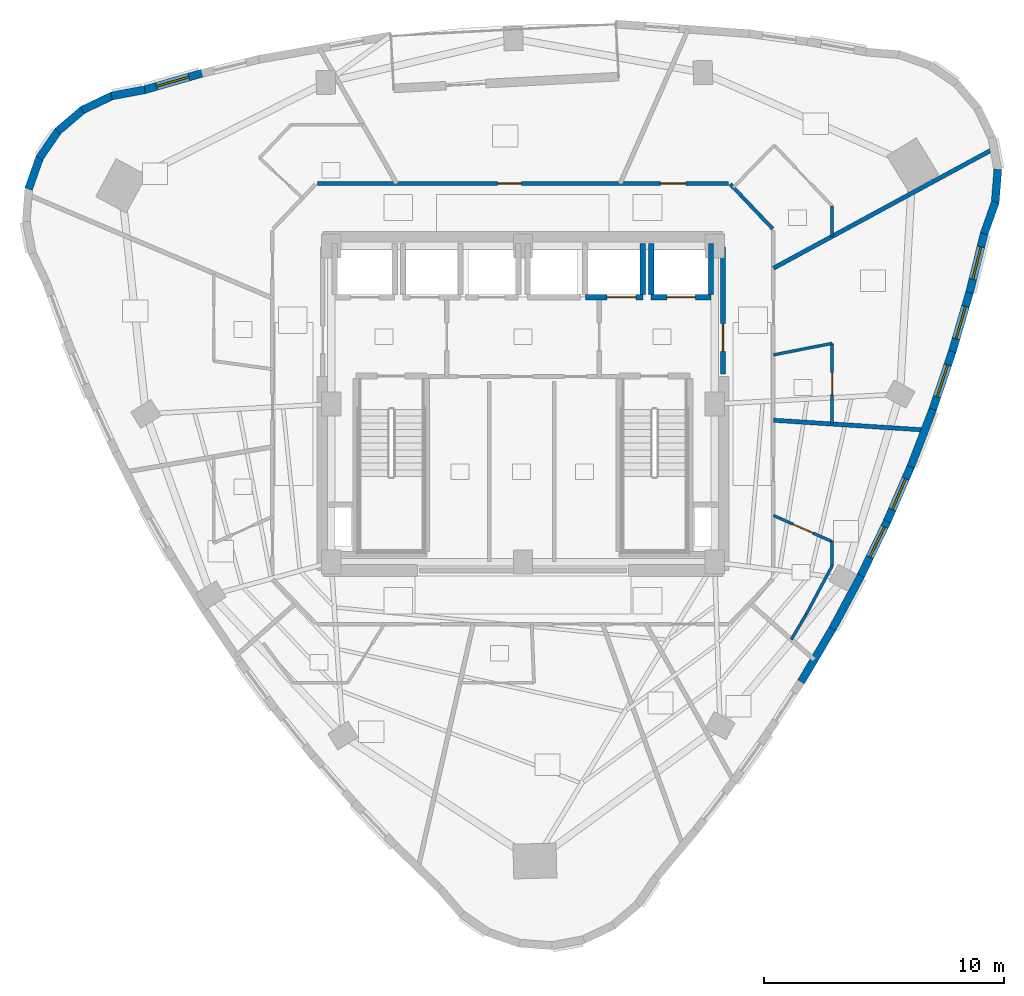
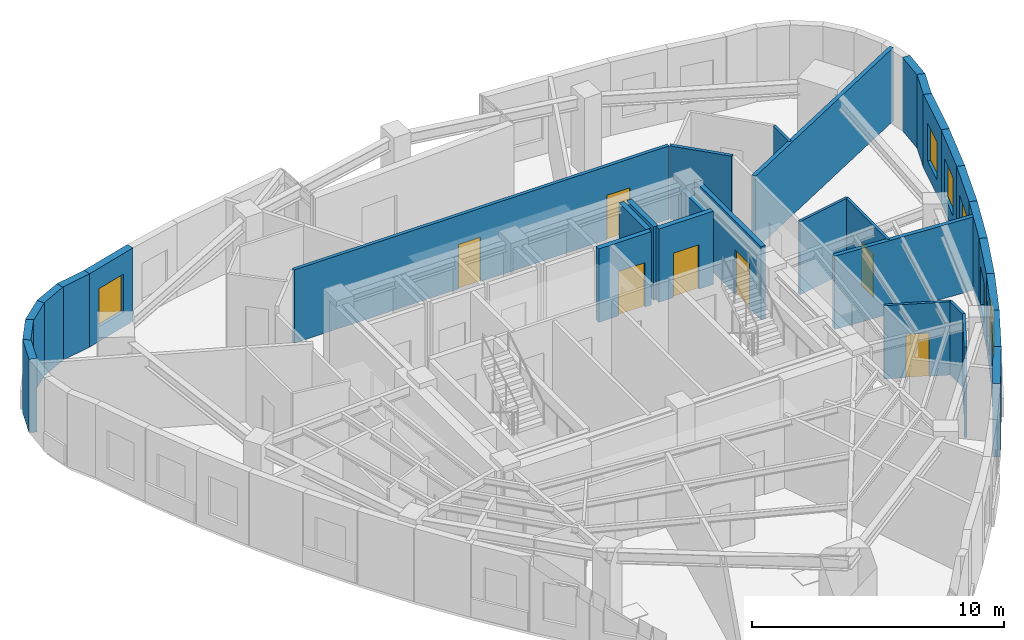
# One storey, part 7 of 11: 33 walls, 7 doors, 6 windows, 13 openings.
"""IFC4 building model written with IfcOpenShell, lengths in metres."""

from ifc_helpers import new_model, si_unit, direction, frame, frame_2d, origin, place, context, subcontext, project, spatial, rectangle, extrude, material, layer, layer_set, type_object, element, fill, save


model = new_model("IFC4")

# Units and contexts
model_context = context("Model", 3, precision=1e-05, world=origin(), true_north=direction((0.0, 1.0)))
body_context = subcontext(model_context, "Body", "Model", "MODEL_VIEW")
ifc_project = project(units=[si_unit("LENGTHUNIT", "METRE"), si_unit("AREAUNIT", "SQUARE_METRE"), si_unit("VOLUMEUNIT", "CUBIC_METRE"), si_unit("PLANEANGLEUNIT", "RADIAN"), si_unit("MASSUNIT", "GRAM", prefix="KILO")], contexts=[model_context])

# Site, building, storey
site_placement = place(None, origin())
site = spatial("IfcSite", under=ifc_project, at=site_placement, CompositionType="ELEMENT")
building_placement = place(site_placement, origin())
building = spatial("IfcBuilding", under=site, at=building_placement, Name="Ndelora Gate Hotel", CompositionType="ELEMENT")
storey_placement = place(building_placement, frame((0.0, 0.0, 216.949951171875)))
storey = spatial("IfcBuildingStorey", under=building, at=storey_placement, Name="L54", CompositionType="ELEMENT", Elevation=216.949951171875)

# Walls
ifc_material_1 = material(Name="Acoustic Double-Stud Gypsum Assembly", Category="gypsum")
ifc_layer_1 = layer(ifc_material_1, 0.179931640625)
ifc_layer_set_1 = layer_set([ifc_layer_1], Name="Acoustic Double-Stud Gypsum Assembly")
wall_type_1 = type_object("IfcWallType", Name="WL-ACOUST-180", PredefinedType="PARTITIONING", material=ifc_layer_set_1)
wall_1_placement = place(storey_placement, frame((10.449951171875, -0.675537109375, 0.0), z_axis=(0.0, 0.0, 1.0), x_axis=(0.997917550795, -0.064502417126, 0.0)))
element("IfcWall", 1, at=wall_1_placement, inside=storey, type_object=wall_type_1, Name="L54 Interior Wall IW-3", PredefinedType="PARTITIONING", context=body_context, shape_type="SweptSolid", body=[
    extrude(rectangle(XDim=6.332275390625, YDim=0.179931640625, at=frame_2d((3.166015625, 0.0))), origin(), (0.0, 0.0, 1.0), 3.550048828125),
])
wall_2_placement = place(storey_placement, frame((10.449951171875, 5.665283203125, 0.0), z_axis=(0.0, 0.0, 1.0), x_axis=(0.879128995533, 0.476583895252, 0.0)))
element("IfcWall", 2, at=wall_2_placement, inside=storey, type_object=wall_type_1, Name="L54 Interior Wall IW-3", PredefinedType="PARTITIONING", context=body_context, shape_type="SweptSolid", body=[
    extrude(rectangle(XDim=10.45947265625, YDim=0.179931640625, at=frame_2d((5.229736328125, 0.0))), origin(), (0.0, 0.0, 1.0), 3.550048828125),
])
ifc_material_2 = material(Name="Clay Brick Masonry", Category="masonry")
ifc_layer_2 = layer(ifc_material_2, 0.330078125)
ifc_layer_set_2 = layer_set([ifc_layer_2], Name="Clay Brick Masonry")
wall_type_2 = type_object("IfcWallType", Name="WL-BRICK-330", PredefinedType="SOLIDWALL", material=ifc_layer_set_2)
wall_3_placement = place(storey_placement, frame((-17.16015625, 12.853271484375, 0.0), z_axis=(0.0, 0.0, 1.0), x_axis=(0.983270499209, 0.182151380411, 0.0)))
element("IfcWall", 3, at=wall_3_placement, inside=storey, type_object=wall_type_2, Name="L54 Tower Brick Pier-and-Spandrel Wall TWR-1", PredefinedType="SOLIDWALL", context=body_context, shape_type="SweptSolid", body=[
    extrude(rectangle(XDim=1.4072265625, YDim=0.330078125, at=frame_2d((0.70361328125, 0.0))), origin(), (0.0, 0.0, 1.0), 3.550048828125),
])
for number, where, z_axis, x_axis, name in (
    (4, (-18.38330078125, 12.2626953125, 0.0), (0.0, 0.0, 1.0), (0.902565310806, 0.430552969714, 0.0), "L54 Tower Brick Pier-and-Spandrel Wall TWR-2"),
    (5, (-19.412109375, 11.37548828125, 0.0), (0.0, 0.0, 1.0), (0.760430782952, 0.64941898982, 0.0), "L54 Tower Brick Pier-and-Spandrel Wall TWR-3"),
    (6, (-20.176025390625, 10.25244140625, 0.0), (0.0, 0.0, 1.0), (0.566374209812, 0.824148199331, 0.0), "L54 Tower Brick Pier-and-Spandrel Wall TWR-4"),
):
    element("IfcWall", number, at=place(storey_placement, frame(where, z_axis=z_axis, x_axis=x_axis)), inside=storey, type_object=wall_type_2, Name=name, PredefinedType="SOLIDWALL", context=body_context, shape_type="SweptSolid", body=[
        extrude(rectangle(XDim=1.407470703125, YDim=0.330078125, at=frame_2d((0.70361328125, 0.0))), origin(), (0.0, 0.0, 1.0), 3.550048828125),
    ])
wall_4_placement = place(storey_placement, frame((-20.623291015625, 8.9697265625, 0.0), z_axis=(0.0, 0.0, 1.0), x_axis=(0.333709077945, 0.942676111555, 0.0)))
element("IfcWall", 7, at=wall_4_placement, inside=storey, type_object=wall_type_2, Name="L54 Tower Brick Pier-and-Spandrel Wall TWR-5", PredefinedType="SOLIDWALL", context=body_context, shape_type="SweptSolid", body=[
    extrude(rectangle(XDim=1.40771484375, YDim=0.330078125, at=frame_2d((0.703857421875, 0.0))), origin(), (0.0, 0.0, 1.0), 3.550048828125),
])
wall_5_placement = place(storey_placement, frame((12.9140625, -9.37548828125, 0.0), z_axis=(0.0, 0.0, 1.0), x_axis=(-0.509023691709, -0.860752508727, 0.0)))
element("IfcWall", 8, at=wall_5_placement, inside=storey, type_object=wall_type_2, Name="L54 Tower Brick Pier-and-Spandrel Wall TWR-33", PredefinedType="SOLIDWALL", context=body_context, shape_type="SweptSolid", body=[
    extrude(rectangle(XDim=2.5703125, YDim=0.330078125, at=frame_2d((1.28515625, 0.0))), origin(), (0.0, 0.0, 1.0), 3.550048828125),
])
wall_6_placement = place(storey_placement, frame((14.102294921875, -7.157470703125, 0.0), z_axis=(0.0, 0.0, 1.0), x_axis=(-0.472567241961, -0.881294616928, 0.0)))
element("IfcWall", 9, at=wall_6_placement, inside=storey, type_object=wall_type_2, Name="L54 Tower Brick Pier-and-Spandrel Wall TWR-34", PredefinedType="SOLIDWALL", context=body_context, shape_type="SweptSolid", body=[
    extrude(rectangle(XDim=2.566162109375, YDim=0.330078125, at=frame_2d((1.283203125, 0.0))), origin(), (0.0, 0.0, 1.0), 3.550048828125),
])

# Wall, opening, window
wall_7_placement = place(storey_placement, frame((15.1962890625, -4.8916015625, 0.0), z_axis=(0.0, 0.0, 1.0), x_axis=(-0.435185371062, -0.900340875898, 0.0)))
wall_7 = element("IfcWall", 10, at=wall_7_placement, inside=storey, type_object=wall_type_2, Name="L54 Tower Brick Pier-and-Spandrel Wall TWR-35", PredefinedType="SOLIDWALL", context=body_context, shape_type="SweptSolid", body=[
    extrude(rectangle(XDim=2.56591796875, YDim=0.330078125, at=frame_2d((1.282958984375, 0.0))), origin(), (0.0, 0.0, 1.0), 3.550048828125),
])
opening_1_placement = place(wall_7_placement, frame((0.260009765625, 0.0, 0.719970703125)))
opening_1 = element("IfcOpeningElement", 11, at=opening_1_placement, cuts=wall_7, Name="Opening W02", PredefinedType="OPENING", context=body_context, shape_type="SweptSolid", body=[
    extrude(rectangle(XDim=1.39990234375, YDim=1.840087890625, at=frame_2d((0.699951171875, 0.919921875))), frame((0.0, 0.175048828125, 0.0), z_axis=(0.0, -1.0, 0.0), x_axis=(1.0, 0.0, 0.0)), (0.0, 0.0, 1.0), 0.35009765625),
])
ifc_material_3 = material(Name="Insulated Low-E Double Glazing in Bronze Aluminium Frame", Category="aluminium")
window_type = type_object("IfcWindowType", Name="WN-DEEP-1400", PartitioningType="SINGLE_PANEL", PredefinedType="WINDOW", material=ifc_material_3)
window_1_placement = place(opening_1_placement, origin())
window_1 = element("IfcWindow", 12, at=window_1_placement, inside=storey, type_object=window_type, Name="L54 Deep-Set Brick-Pier Window W02", OverallHeight=1.840087890625, OverallWidth=1.39990234375, PartitioningType="SINGLE_PANEL", PredefinedType="WINDOW", context=body_context, shape_type="SweptSolid", body=[
    extrude(rectangle(XDim=1.39990234375, YDim=1.840087890625, at=frame_2d((0.699951171875, 0.919921875))), frame((0.0, 0.030029296875, 0.0), z_axis=(0.0, -1.0, 0.0), x_axis=(1.0, 0.0, 0.0)), (0.0, 0.0, 1.0), 0.06005859375),
])
fill(opening_1, window_1)

wall_8_placement = place(storey_placement, frame((16.1962890625, -2.577880859375, 0.0), z_axis=(0.0, 0.0, 1.0), x_axis=(-0.397103611511, -0.917773785704, 0.0)))
wall_8 = element("IfcWall", 13, at=wall_8_placement, inside=storey, type_object=wall_type_2, Name="L54 Tower Brick Pier-and-Spandrel Wall TWR-36", PredefinedType="SOLIDWALL", context=body_context, shape_type="SweptSolid", body=[
    extrude(rectangle(XDim=2.570556640625, YDim=0.330078125, at=frame_2d((1.28515625, 0.0))), origin(), (0.0, 0.0, 1.0), 3.550048828125),
])
opening_2_placement = place(wall_8_placement, frame((0.585205078125, 0.0, 0.719970703125)))
opening_2 = element("IfcOpeningElement", 14, at=opening_2_placement, cuts=wall_8, Name="Opening W02", PredefinedType="OPENING", context=body_context, shape_type="SweptSolid", body=[
    extrude(rectangle(XDim=1.39990234375, YDim=1.840087890625, at=frame_2d((0.699951171875, 0.919921875))), frame((0.0, 0.175048828125, 0.0), z_axis=(0.0, -1.0, 0.0), x_axis=(1.0, 0.0, 0.0)), (0.0, 0.0, 1.0), 0.35009765625),
])
window_2_placement = place(opening_2_placement, origin())
window_2 = element("IfcWindow", 15, at=window_2_placement, inside=storey, type_object=window_type, Name="L54 Deep-Set Brick-Pier Window W02", OverallHeight=1.840087890625, OverallWidth=1.39990234375, PartitioningType="SINGLE_PANEL", PredefinedType="WINDOW", context=body_context, shape_type="SweptSolid", body=[
    extrude(rectangle(XDim=1.39990234375, YDim=1.840087890625, at=frame_2d((0.699951171875, 0.919921875))), frame((0.0, 0.030029296875, 0.0), z_axis=(0.0, -1.0, 0.0), x_axis=(1.0, 0.0, 0.0)), (0.0, 0.0, 1.0), 0.06005859375),
])
fill(opening_2, window_2)

# Wall
wall_9_placement = place(storey_placement, frame((17.102294921875, -0.21630859375, 0.0), z_axis=(0.0, 0.0, 1.0), x_axis=(-0.358528725074, -0.933518694669, 0.0)))
element("IfcWall", 16, at=wall_9_placement, inside=storey, type_object=wall_type_2, Name="L54 Tower Brick Pier-and-Spandrel Wall TWR-37", PredefinedType="SOLIDWALL", context=body_context, shape_type="SweptSolid", body=[
    extrude(rectangle(XDim=2.579345703125, YDim=0.330078125, at=frame_2d((1.28955078125, 0.0))), origin(), (0.0, 0.0, 1.0), 3.550048828125),
])

# Wall, opening, window
wall_10_placement = place(storey_placement, frame((17.914306640625, 2.193115234375, 0.0), z_axis=(0.0, 0.0, 1.0), x_axis=(-0.319700444906, -0.94751866764, 0.0)))
wall_10 = element("IfcWall", 17, at=wall_10_placement, inside=storey, type_object=wall_type_2, Name="L54 Tower Brick Pier-and-Spandrel Wall TWR-38", PredefinedType="SOLIDWALL", context=body_context, shape_type="SweptSolid", body=[
    extrude(rectangle(XDim=2.592529296875, YDim=0.330078125, at=frame_2d((1.29638671875, 0.0))), origin(), (0.0, 0.0, 1.0), 3.550048828125),
])
opening_3_placement = place(wall_10_placement, frame((0.59619140625, 0.0, 0.719970703125)))
opening_3 = element("IfcOpeningElement", 18, at=opening_3_placement, cuts=wall_10, Name="Opening W02", PredefinedType="OPENING", context=body_context, shape_type="SweptSolid", body=[
    extrude(rectangle(XDim=1.39990234375, YDim=1.840087890625, at=frame_2d((0.699951171875, 0.919921875))), frame((0.0, 0.175048828125, 0.0), z_axis=(0.0, -1.0, 0.0), x_axis=(1.0, 0.0, 0.0)), (0.0, 0.0, 1.0), 0.35009765625),
])
window_3_placement = place(opening_3_placement, origin())
window_3 = element("IfcWindow", 19, at=window_3_placement, inside=storey, type_object=window_type, Name="L54 Deep-Set Brick-Pier Window W02", OverallHeight=1.840087890625, OverallWidth=1.39990234375, PartitioningType="SINGLE_PANEL", PredefinedType="WINDOW", context=body_context, shape_type="SweptSolid", body=[
    extrude(rectangle(XDim=1.39990234375, YDim=1.840087890625, at=frame_2d((0.699951171875, 0.919921875))), frame((0.0, 0.030029296875, 0.0), z_axis=(0.0, -1.0, 0.0), x_axis=(1.0, 0.0, 0.0)), (0.0, 0.0, 1.0), 0.06005859375),
])
fill(opening_3, window_3)

wall_11_placement = place(storey_placement, frame((18.632080078125, 4.650390625, 0.0), z_axis=(0.0, 0.0, 1.0), x_axis=(-0.280732723443, -0.959785985514, 0.0)))
wall_11 = element("IfcWall", 20, at=wall_11_placement, inside=storey, type_object=wall_type_2, Name="L54 Tower Brick Pier-and-Spandrel Wall TWR-39", PredefinedType="SOLIDWALL", context=body_context, shape_type="SweptSolid", body=[
    extrude(rectangle(XDim=2.60986328125, YDim=0.330078125, at=frame_2d((1.304931640625, 0.0))), origin(), (0.0, 0.0, 1.0), 3.550048828125),
])
opening_4_placement = place(wall_11_placement, frame((0.60498046875, 0.0, 0.719970703125)))
opening_4 = element("IfcOpeningElement", 21, at=opening_4_placement, cuts=wall_11, Name="Opening W02", PredefinedType="OPENING", context=body_context, shape_type="SweptSolid", body=[
    extrude(rectangle(XDim=1.39990234375, YDim=1.840087890625, at=frame_2d((0.699951171875, 0.919921875))), frame((0.0, 0.175048828125, 0.0), z_axis=(0.0, -1.0, 0.0), x_axis=(1.0, 0.0, 0.0)), (0.0, 0.0, 1.0), 0.35009765625),
])
window_4_placement = place(opening_4_placement, origin())
window_4 = element("IfcWindow", 22, at=window_4_placement, inside=storey, type_object=window_type, Name="L54 Deep-Set Brick-Pier Window W02", OverallHeight=1.840087890625, OverallWidth=1.39990234375, PartitioningType="SINGLE_PANEL", PredefinedType="WINDOW", context=body_context, shape_type="SweptSolid", body=[
    extrude(rectangle(XDim=1.39990234375, YDim=1.840087890625, at=frame_2d((0.699951171875, 0.919921875))), frame((0.0, 0.030029296875, 0.0), z_axis=(0.0, -1.0, 0.0), x_axis=(1.0, 0.0, 0.0)), (0.0, 0.0, 1.0), 0.06005859375),
])
fill(opening_4, window_4)

wall_12_placement = place(storey_placement, frame((19.255859375, 7.15576171875, 0.0), z_axis=(0.0, 0.0, 1.0), x_axis=(-0.24192443615, -0.970295092842, 0.0)))
wall_12 = element("IfcWall", 23, at=wall_12_placement, inside=storey, type_object=wall_type_2, Name="L54 Tower Brick Pier-and-Spandrel Wall TWR-40", PredefinedType="SOLIDWALL", context=body_context, shape_type="SweptSolid", body=[
    extrude(rectangle(XDim=2.6318359375, YDim=0.330078125, at=frame_2d((1.31591796875, 0.0))), origin(), (0.0, 0.0, 1.0), 3.550048828125),
])
opening_5_placement = place(wall_12_placement, frame((0.615966796875, 0.0, 0.719970703125)))
opening_5 = element("IfcOpeningElement", 24, at=opening_5_placement, cuts=wall_12, Name="Opening W02", PredefinedType="OPENING", context=body_context, shape_type="SweptSolid", body=[
    extrude(rectangle(XDim=1.39990234375, YDim=1.840087890625, at=frame_2d((0.699951171875, 0.919921875))), frame((0.0, 0.175048828125, 0.0), z_axis=(0.0, -1.0, 0.0), x_axis=(1.0, 0.0, 0.0)), (0.0, 0.0, 1.0), 0.35009765625),
])
window_5_placement = place(opening_5_placement, origin())
window_5 = element("IfcWindow", 25, at=window_5_placement, inside=storey, type_object=window_type, Name="L54 Deep-Set Brick-Pier Window W02", OverallHeight=1.840087890625, OverallWidth=1.39990234375, PartitioningType="SINGLE_PANEL", PredefinedType="WINDOW", context=body_context, shape_type="SweptSolid", body=[
    extrude(rectangle(XDim=1.39990234375, YDim=1.840087890625, at=frame_2d((0.699951171875, 0.919921875))), frame((0.0, 0.030029296875, 0.0), z_axis=(0.0, -1.0, 0.0), x_axis=(1.0, 0.0, 0.0)), (0.0, 0.0, 1.0), 0.06005859375),
])
fill(opening_5, window_5)

# Walls
wall_13_placement = place(storey_placement, frame((19.711181640625, 8.4345703125, 0.0), z_axis=(0.0, 0.0, 1.0), x_axis=(-0.33376364871, -0.942656791627, 0.0)))
element("IfcWall", 26, at=wall_13_placement, inside=storey, type_object=wall_type_2, Name="L54 Tower Brick Pier-and-Spandrel Wall TWR-41", PredefinedType="SOLIDWALL", context=body_context, shape_type="SweptSolid", body=[
    extrude(rectangle(XDim=1.407470703125, YDim=0.330078125, at=frame_2d((0.70361328125, 0.0))), origin(), (0.0, 0.0, 1.0), 3.550048828125),
])
wall_14_placement = place(storey_placement, frame((19.8115234375, 9.789306640625, 0.0), z_axis=(0.0, 0.0, 1.0), x_axis=(-0.078566409812, -0.99690888212, 0.0)))
element("IfcWall", 27, at=wall_14_placement, inside=storey, type_object=wall_type_2, Name="L54 Tower Brick Pier-and-Spandrel Wall TWR-42", PredefinedType="SOLIDWALL", context=body_context, shape_type="SweptSolid", body=[
    extrude(rectangle(XDim=1.40771484375, YDim=0.330078125, at=frame_2d((0.703857421875, 0.0))), origin(), (0.0, 0.0, 1.0), 3.550048828125),
])

# Wall, opening, window
wall_15_placement = place(storey_placement, frame((-15.824951171875, 13.09814453125, 0.0), z_axis=(0.0, 0.0, 1.0), x_axis=(0.961045266568, 0.276391019406, 0.0)))
wall_15 = element("IfcWall", 28, at=wall_15_placement, inside=storey, type_object=wall_type_2, Name="L54 Tower Brick Pier-and-Spandrel Wall TWR-58", PredefinedType="SOLIDWALL", context=body_context, shape_type="SweptSolid", body=[
    extrude(rectangle(XDim=2.529052734375, YDim=0.330078125, at=frame_2d((1.2646484375, 0.0))), origin(), (0.0, 0.0, 1.0), 3.550048828125),
])
opening_6_placement = place(wall_15_placement, frame((0.564453125, 0.0, 0.719970703125)))
opening_6 = element("IfcOpeningElement", 29, at=opening_6_placement, cuts=wall_15, Name="Opening W02", PredefinedType="OPENING", context=body_context, shape_type="SweptSolid", body=[
    extrude(rectangle(XDim=1.39990234375, YDim=1.840087890625, at=frame_2d((0.699951171875, 0.919921875))), frame((0.0, 0.175048828125, 0.0), z_axis=(0.0, -1.0, 0.0), x_axis=(1.0, 0.0, 0.0)), (0.0, 0.0, 1.0), 0.35009765625),
])
window_6_placement = place(opening_6_placement, origin())
window_6 = element("IfcWindow", 30, at=window_6_placement, inside=storey, type_object=window_type, Name="L54 Deep-Set Brick-Pier Window W02", OverallHeight=1.840087890625, OverallWidth=1.39990234375, PartitioningType="SINGLE_PANEL", PredefinedType="WINDOW", context=body_context, shape_type="SweptSolid", body=[
    extrude(rectangle(XDim=1.39990234375, YDim=1.840087890625, at=frame_2d((0.699951171875, 0.919921875))), frame((0.0, 0.030029296875, 0.0), z_axis=(0.0, -1.0, 0.0), x_axis=(1.0, 0.0, 0.0)), (0.0, 0.0, 1.0), 0.06005859375),
])
fill(opening_6, window_6)

# Wall, opening, door
ifc_material_4 = material(Name="Concrete C40/50", Category="concrete")
ifc_layer_3 = layer(ifc_material_4, 0.199951171875)
ifc_layer_set_3 = layer_set([ifc_layer_3], Name="Concrete C40/50")
wall_type_3 = type_object("IfcWallType", Name="WL-FIRE-200", PredefinedType="PARTITIONING", material=ifc_layer_set_3)
wall_16_placement = place(storey_placement, frame((8.35009765625, 1.25, 0.0), z_axis=(0.0, 0.0, 1.0), x_axis=(0.0, 1.0, 0.0)))
wall_16 = element("IfcWall", 31, at=wall_16_placement, inside=storey, type_object=wall_type_3, Name="L54 Interior Wall IW-2", PredefinedType="PARTITIONING", context=body_context, shape_type="SweptSolid", body=[
    extrude(rectangle(XDim=5.300048828125, YDim=0.199951171875, at=frame_2d((2.64990234375, 0.0))), origin(), (0.0, 0.0, 1.0), 3.550048828125),
])
opening_7_placement = place(wall_16_placement, frame((0.949951171875, 0.0, 0.0)))
opening_7 = element("IfcOpeningElement", 32, at=opening_7_placement, cuts=wall_16, Name="Opening FD1", PredefinedType="OPENING", context=body_context, shape_type="SweptSolid", body=[
    extrude(rectangle(XDim=1.14990234375, YDim=2.14990234375, at=frame_2d((0.574951171875, 1.074951171875))), frame((0.0, 0.10986328125, 0.0), z_axis=(0.0, -1.0, 0.0), x_axis=(1.0, 0.0, 0.0)), (0.0, 0.0, 1.0), 0.219970703125),
])
ifc_material_5 = material(Name="Fire-Rated Timber-Veneer Steel Core", Category="steel")
door_type_1 = type_object("IfcDoorType", Name="DR-FD60", OperationType="SINGLE_SWING_LEFT", PredefinedType="DOOR", material=ifc_material_5)
door_1_placement = place(opening_7_placement, origin())
door_1 = element("IfcDoor", 33, at=door_1_placement, inside=storey, type_object=door_type_1, Name="L54 Firefighting Lobby East Corridor Door", OperationType="SINGLE_SWING_RIGHT", OverallHeight=2.14990234375, OverallWidth=1.14990234375, PredefinedType="DOOR", context=body_context, shape_type="SweptSolid", body=[
    extrude(rectangle(XDim=1.14990234375, YDim=2.14990234375, at=frame_2d((0.574951171875, 1.074951171875))), frame((0.0, 0.02490234375, 0.0), z_axis=(0.0, -1.0, 0.0), x_axis=(1.0, 0.0, 0.0)), (0.0, 0.0, 1.0), 0.050048828125),
])
fill(opening_7, door_1)

# Wall
ifc_material_6 = material(Name="Fire-Rated Gypsum Stud Partition", Category="gypsum")
ifc_layer_4 = layer(ifc_material_6, 0.14990234375)
ifc_layer_set_4 = layer_set([ifc_layer_4], Name="Fire-Rated Gypsum Stud Partition")
wall_type_4 = type_object("IfcWallType", Name="WL-PART-150", PredefinedType="PARTITIONING", material=ifc_layer_set_4)
wall_17_placement = place(storey_placement, frame((8.647705078125, 9.1708984375, 0.0), z_axis=(0.0, 0.0, 1.0), x_axis=(0.689960858356, -0.723846678473, 0.0)))
element("IfcWall", 34, at=wall_17_placement, inside=storey, type_object=wall_type_4, Name="L54 Interior Wall IW-5", PredefinedType="PARTITIONING", context=body_context, shape_type="SweptSolid", body=[
    extrude(rectangle(XDim=2.572021484375, YDim=0.14990234375, at=frame_2d((1.2861328125, 0.0))), origin(), (0.0, 0.0, 1.0), 3.550048828125),
])

# Wall, openings, doors
wall_18_placement = place(storey_placement, frame((-8.580078125, 9.199951171875, 0.0), z_axis=(0.0, 0.0, 1.0), x_axis=(1.0, 0.0, 0.0)))
wall_18 = element("IfcWall", 35, at=wall_18_placement, inside=storey, type_object=wall_type_4, Name="L54 Interior Wall IW-5", PredefinedType="PARTITIONING", context=body_context, shape_type="SweptSolid", body=[
    extrude(rectangle(XDim=17.16015625, YDim=0.14990234375, at=frame_2d((8.580078125, 0.0))), origin(), (0.0, 0.0, 1.0), 3.550048828125),
])
opening_8_placement = place(wall_18_placement, frame((7.519775390625, 0.0, 0.0)))
opening_8 = element("IfcOpeningElement", 36, at=opening_8_placement, cuts=wall_18, Name="Opening D01", PredefinedType="OPENING", context=body_context, shape_type="SweptSolid", body=[
    extrude(rectangle(XDim=1.0, YDim=2.14990234375, at=frame_2d((0.5, 1.074951171875))), frame((0.0, 0.0849609375, 0.0), z_axis=(0.0, -1.0, 0.0), x_axis=(1.0, 0.0, 0.0)), (0.0, 0.0, 1.0), 0.169921875),
])
opening_9_placement = place(wall_18_placement, frame((14.318603515625, 0.0, 0.0)))
opening_9 = element("IfcOpeningElement", 37, at=opening_9_placement, cuts=wall_18, Name="Opening D07", PredefinedType="OPENING", context=body_context, shape_type="SweptSolid", body=[
    extrude(rectangle(XDim=1.06005859375, YDim=2.14990234375, at=frame_2d((0.530029296875, 1.074951171875))), frame((0.0, 0.0849609375, 0.0), z_axis=(0.0, -1.0, 0.0), x_axis=(1.0, 0.0, 0.0)), (0.0, 0.0, 1.0), 0.169921875),
])
ifc_material_7 = material(Name="Acoustic Hardwood Guest Entrance Door", Category="wood")
door_type_2 = type_object("IfcDoorType", Name="DR-COR-1000", OperationType="SINGLE_SWING_LEFT", PredefinedType="DOOR", material=ifc_material_7)
door_2_placement = place(opening_8_placement, origin())
door_2 = element("IfcDoor", 38, at=door_2_placement, inside=storey, type_object=door_type_2, Name="L54 Sky Garden Tea Dining Room Entrance Door", OperationType="SINGLE_SWING_LEFT", OverallHeight=2.14990234375, OverallWidth=1.0, PredefinedType="DOOR", context=body_context, shape_type="SweptSolid", body=[
    extrude(rectangle(XDim=1.0, YDim=2.14990234375, at=frame_2d((0.5, 1.074951171875))), frame((0.0, 0.02490234375, 0.0), z_axis=(0.0, -1.0, 0.0), x_axis=(1.0, 0.0, 0.0)), (0.0, 0.0, 1.0), 0.050048828125),
])
fill(opening_8, door_2)
ifc_material_8 = material(Name="Diplomatic Suite Acoustic Entrance Door", Category="wood")
door_type_3 = type_object("IfcDoorType", Name="DR-SUITE-1060", OperationType="SINGLE_SWING_LEFT", PredefinedType="DOOR", material=ifc_material_8)
door_3_placement = place(opening_9_placement, origin())
door_3 = element("IfcDoor", 39, at=door_3_placement, inside=storey, type_object=door_type_3, Name="L54 Corner Sky Suite 5703 Entrance Door", OperationType="SINGLE_SWING_LEFT", OverallHeight=2.14990234375, OverallWidth=1.06005859375, PredefinedType="DOOR", context=body_context, shape_type="SweptSolid", body=[
    extrude(rectangle(XDim=1.06005859375, YDim=2.14990234375, at=frame_2d((0.530029296875, 1.074951171875))), frame((0.0, 0.02490234375, 0.0), z_axis=(0.0, -1.0, 0.0), x_axis=(1.0, 0.0, 0.0)), (0.0, 0.0, 1.0), 0.050048828125),
])
fill(opening_9, door_3)

# Wall, opening, door
ifc_layer_5 = layer(ifc_material_4, 0.219970703125)
ifc_layer_set_5 = layer_set([ifc_layer_5], Name="Concrete C40/50")
wall_type_5 = type_object("IfcWallType", Name="WL-SHAFT-220", PredefinedType="PARTITIONING", material=ifc_layer_set_5)
wall_19_placement = place(storey_placement, frame((5.35009765625, 4.449951171875, 0.0), z_axis=(0.0, 0.0, 1.0), x_axis=(1.0, 0.0, 0.0)))
wall_19 = element("IfcWall", 40, at=wall_19_placement, inside=storey, type_object=wall_type_5, Name="L54 Interior Wall IW-1", PredefinedType="PARTITIONING", context=body_context, shape_type="SweptSolid", body=[
    extrude(rectangle(XDim=2.5, YDim=0.219970703125, at=frame_2d((1.25, 0.0))), origin(), (0.0, 0.0, 1.0), 3.550048828125),
])
opening_10_placement = place(wall_19_placement, frame((0.659912109375, 0.0, 0.0)))
opening_10 = element("IfcOpeningElement", 41, at=opening_10_placement, cuts=wall_19, Name="Opening LD5", PredefinedType="OPENING", context=body_context, shape_type="SweptSolid", body=[
    extrude(rectangle(XDim=1.179931640625, YDim=2.14990234375, at=frame_2d((0.58984375, 1.074951171875))), frame((0.0, 0.1201171875, 0.0), z_axis=(0.0, -1.0, 0.0), x_axis=(1.0, 0.0, 0.0)), (0.0, 0.0, 1.0), 0.239990234375),
])
ifc_material_9 = material(Name="Firefighting Lift Stainless Sliding Landing Door", Category="metal")
door_type_4 = type_object("IfcDoorType", Name="DR-LD5", OperationType="DOUBLE_DOOR_SLIDING", PredefinedType="DOOR", material=ifc_material_9)
door_4_placement = place(opening_10_placement, origin())
door_4 = element("IfcDoor", 42, at=door_4_placement, inside=storey, type_object=door_type_4, Name="L54 Lift Landing Sliding Door FFL2", OperationType="DOUBLE_DOOR_SLIDING", OverallHeight=2.14990234375, OverallWidth=1.179931640625, PredefinedType="DOOR", context=body_context, shape_type="SweptSolid", body=[
    extrude(rectangle(XDim=1.179931640625, YDim=2.14990234375, at=frame_2d((0.58984375, 1.074951171875))), frame((0.0, 0.02490234375, 0.0), z_axis=(0.0, -1.0, 0.0), x_axis=(1.0, 0.0, 0.0)), (0.0, 0.0, 1.0), 0.050048828125),
])
fill(opening_10, door_4)

# Walls
wall_20_placement = place(storey_placement, frame((5.35009765625, 4.570068359375, 0.0), z_axis=(0.0, 0.0, 1.0), x_axis=(0.0, 1.0, 0.0)))
element("IfcWall", 43, at=wall_20_placement, inside=storey, type_object=wall_type_5, Name="L54 Interior Wall IW-1", PredefinedType="PARTITIONING", context=body_context, shape_type="SweptSolid", body=[
    extrude(rectangle(XDim=2.1298828125, YDim=0.219970703125, at=frame_2d((1.06494140625, 0.0))), origin(), (0.0, 0.0, 1.0), 3.550048828125),
])
wall_21_placement = place(storey_placement, frame((7.85009765625, 4.570068359375, 0.0), z_axis=(0.0, 0.0, 1.0), x_axis=(0.0, 1.0, 0.0)))
element("IfcWall", 44, at=wall_21_placement, inside=storey, type_object=wall_type_5, Name="L54 Interior Wall IW-1", PredefinedType="PARTITIONING", context=body_context, shape_type="SweptSolid", body=[
    extrude(rectangle(XDim=2.1298828125, YDim=0.219970703125, at=frame_2d((1.06494140625, 0.0))), origin(), (0.0, 0.0, 1.0), 3.179931640625),
])

# Wall, opening, door
wall_22_placement = place(storey_placement, frame((2.60009765625, 4.449951171875, 0.0), z_axis=(0.0, 0.0, 1.0), x_axis=(1.0, 0.0, 0.0)))
wall_22 = element("IfcWall", 45, at=wall_22_placement, inside=storey, type_object=wall_type_5, Name="L54 Interior Wall IW-1", PredefinedType="PARTITIONING", context=body_context, shape_type="SweptSolid", body=[
    extrude(rectangle(XDim=2.39990234375, YDim=0.219970703125, at=frame_2d((1.199951171875, 0.0))), origin(), (0.0, 0.0, 1.0), 3.550048828125),
])
opening_11_placement = place(wall_22_placement, frame((0.89990234375, 0.0, 0.0)))
opening_11 = element("IfcOpeningElement", 46, at=opening_11_placement, cuts=wall_22, Name="Opening LD6", PredefinedType="OPENING", context=body_context, shape_type="SweptSolid", body=[
    extrude(rectangle(XDim=1.219970703125, YDim=2.14990234375, at=frame_2d((0.60986328125, 1.074951171875))), frame((0.0, 0.1201171875, 0.0), z_axis=(0.0, -1.0, 0.0), x_axis=(1.0, 0.0, 0.0)), (0.0, 0.0, 1.0), 0.239990234375),
])
ifc_material_10 = material(Name="Heavy-Duty Service Lift Sliding Landing Door", Category="wood")
door_type_5 = type_object("IfcDoorType", Name="DR-LD6", OperationType="DOUBLE_DOOR_SLIDING", PredefinedType="DOOR", material=ifc_material_10)
door_5_placement = place(opening_11_placement, origin())
door_5 = element("IfcDoor", 47, at=door_5_placement, inside=storey, type_object=door_type_5, Name="L54 Lift Landing Sliding Door SVL2", OperationType="DOUBLE_DOOR_SLIDING", OverallHeight=2.14990234375, OverallWidth=1.219970703125, PredefinedType="DOOR", context=body_context, shape_type="SweptSolid", body=[
    extrude(rectangle(XDim=1.219970703125, YDim=2.14990234375, at=frame_2d((0.60986328125, 1.074951171875))), frame((0.0, 0.02490234375, 0.0), z_axis=(0.0, -1.0, 0.0), x_axis=(1.0, 0.0, 0.0)), (0.0, 0.0, 1.0), 0.050048828125),
])
fill(opening_11, door_5)

# Wall
wall_23_placement = place(storey_placement, frame((5.0, 4.570068359375, 0.0), z_axis=(0.0, 0.0, 1.0), x_axis=(0.0, 1.0, 0.0)))
element("IfcWall", 48, at=wall_23_placement, inside=storey, type_object=wall_type_5, Name="L54 Interior Wall IW-1", PredefinedType="PARTITIONING", context=body_context, shape_type="SweptSolid", body=[
    extrude(rectangle(XDim=2.1298828125, YDim=0.219970703125, at=frame_2d((1.06494140625, 0.0))), origin(), (0.0, 0.0, 1.0), 3.550048828125),
])

# Wall, opening, door
ifc_material_11 = material(Name="Moisture-Resistant Bathroom Tile Partition", Category="gypsum")
ifc_layer_6 = layer(ifc_material_11, 0.1201171875)
ifc_layer_set_6 = layer_set([ifc_layer_6], Name="Moisture-Resistant Bathroom Tile Partition")
wall_type_6 = type_object("IfcWallType", Name="WL-WET-120", PredefinedType="PARTITIONING", material=ifc_layer_set_6)
wall_24_placement = place(storey_placement, frame((10.449951171875, -4.649169921875, 0.0), z_axis=(0.0, 0.0, 1.0), x_axis=(0.913676332544, -0.406442565867, 0.0)))
wall_24 = element("IfcWall", 49, at=wall_24_placement, inside=storey, type_object=wall_type_6, Name="L54 Interior Wall IW-7", PredefinedType="PARTITIONING", context=body_context, shape_type="SweptSolid", body=[
    extrude(rectangle(XDim=2.681396484375, YDim=0.1201171875, at=frame_2d((1.3408203125, 0.0))), origin(), (0.0, 0.0, 1.0), 3.550048828125),
])
opening_12_placement = place(wall_24_placement, frame((0.880615234375, 0.0, 0.0)))
opening_12 = element("IfcOpeningElement", 50, at=opening_12_placement, cuts=wall_24, Name="Opening D03", PredefinedType="OPENING", context=body_context, shape_type="SweptSolid", body=[
    extrude(rectangle(XDim=0.919921875, YDim=2.10009765625, at=frame_2d((0.4599609375, 1.050048828125))), frame((0.0, 0.070068359375, 0.0), z_axis=(0.0, -1.0, 0.0), x_axis=(1.0, 0.0, 0.0)), (0.0, 0.0, 1.0), 0.14013671875),
])
ifc_material_12 = material(Name="Moisture-Resistant Hardwood En-Suite Door", Category="wood")
door_type_6 = type_object("IfcDoorType", Name="DR-BATH-920", OperationType="SINGLE_SWING_LEFT", PredefinedType="DOOR", material=ifc_material_12)
door_6_placement = place(opening_12_placement, origin())
door_6 = element("IfcDoor", 51, at=door_6_placement, inside=storey, type_object=door_type_6, Name="L54 En-suite Bathroom 5701 Door", OperationType="SINGLE_SWING_RIGHT", OverallHeight=2.10009765625, OverallWidth=0.919921875, PredefinedType="DOOR", context=body_context, shape_type="SweptSolid", body=[
    extrude(rectangle(XDim=0.919921875, YDim=2.10009765625, at=frame_2d((0.4599609375, 1.050048828125))), frame((0.0, 0.02490234375, 0.0), z_axis=(0.0, -1.0, 0.0), x_axis=(1.0, 0.0, 0.0)), (0.0, 0.0, 1.0), 0.050048828125),
])
fill(opening_12, door_6)

# Walls
wall_25_placement = place(storey_placement, frame((12.89990234375, -5.739013671875, 0.0), z_axis=(0.0, 0.0, 1.0), x_axis=(0.0, -1.0, 0.0)))
element("IfcWall", 52, at=wall_25_placement, inside=storey, type_object=wall_type_6, Name="L54 Interior Wall IW-7", PredefinedType="PARTITIONING", context=body_context, shape_type="SweptSolid", body=[
    extrude(rectangle(XDim=1.015380859375, YDim=0.1201171875, at=frame_2d((0.5078125, 0.0))), origin(), (0.0, 0.0, 1.0), 3.550048828125),
])
wall_26_placement = place(storey_placement, frame((11.812255859375, -8.783203125, 0.0), z_axis=(0.0, 0.0, 1.0), x_axis=(0.472486272228, 0.881338029678, 0.0)))
element("IfcWall", 53, at=wall_26_placement, inside=storey, type_object=wall_type_6, Name="L54 Interior Wall IW-7", PredefinedType="PARTITIONING", context=body_context, shape_type="SweptSolid", body=[
    extrude(rectangle(XDim=2.302001953125, YDim=0.1201171875, at=frame_2d((1.15087890625, 0.0))), origin(), (0.0, 0.0, 1.0), 3.550048828125),
])
wall_27_placement = place(storey_placement, frame((11.19677734375, -9.82373046875, 0.0), z_axis=(0.0, 0.0, 1.0), x_axis=(0.509110272453, 0.860701301546, 0.0)))
element("IfcWall", 54, at=wall_27_placement, inside=storey, type_object=wall_type_6, Name="L54 Interior Wall IW-7", PredefinedType="PARTITIONING", context=body_context, shape_type="SweptSolid", body=[
    extrude(rectangle(XDim=1.208984375, YDim=0.1201171875, at=frame_2d((0.6044921875, 0.0))), origin(), (0.0, 0.0, 1.0), 2.97998046875),
])
wall_28_placement = place(storey_placement, frame((10.449951171875, 2.04931640625, 0.0), z_axis=(0.0, 0.0, 1.0), x_axis=(0.981307232297, 0.192447696379, 0.0)))
element("IfcWall", 55, at=wall_28_placement, inside=storey, type_object=wall_type_6, Name="L54 Interior Wall IW-7", PredefinedType="PARTITIONING", context=body_context, shape_type="SweptSolid", body=[
    extrude(rectangle(XDim=2.49658203125, YDim=0.1201171875, at=frame_2d((1.248291015625, 0.0))), origin(), (0.0, 0.0, 1.0), 3.550048828125),
])

# Wall, opening, door
wall_29_placement = place(storey_placement, frame((12.89990234375, 2.52978515625, 0.0), z_axis=(0.0, 0.0, 1.0), x_axis=(0.0, -1.0, 0.0)))
wall_29 = element("IfcWall", 56, at=wall_29_placement, inside=storey, type_object=wall_type_6, Name="L54 Interior Wall IW-7", PredefinedType="PARTITIONING", context=body_context, shape_type="SweptSolid", body=[
    extrude(rectangle(XDim=3.36376953125, YDim=0.1201171875, at=frame_2d((1.681884765625, 0.0))), origin(), (0.0, 0.0, 1.0), 3.550048828125),
])
opening_13_placement = place(wall_29_placement, frame((1.221923828125, 0.0, 0.0)))
opening_13 = element("IfcOpeningElement", 57, at=opening_13_placement, cuts=wall_29, Name="Opening D03", PredefinedType="OPENING", context=body_context, shape_type="SweptSolid", body=[
    extrude(rectangle(XDim=0.919921875, YDim=2.10009765625, at=frame_2d((0.4599609375, 1.050048828125))), frame((0.0, 0.070068359375, 0.0), z_axis=(0.0, -1.0, 0.0), x_axis=(1.0, 0.0, 0.0)), (0.0, 0.0, 1.0), 0.14013671875),
])
door_7_placement = place(opening_13_placement, origin())
door_7 = element("IfcDoor", 58, at=door_7_placement, inside=storey, type_object=door_type_6, Name="L54 En-suite Bathroom 5702 Door", OperationType="SINGLE_SWING_LEFT", OverallHeight=2.10009765625, OverallWidth=0.919921875, PredefinedType="DOOR", context=body_context, shape_type="SweptSolid", body=[
    extrude(rectangle(XDim=0.919921875, YDim=2.10009765625, at=frame_2d((0.4599609375, 1.050048828125))), frame((0.0, 0.02490234375, 0.0), z_axis=(0.0, -1.0, 0.0), x_axis=(1.0, 0.0, 0.0)), (0.0, 0.0, 1.0), 0.050048828125),
])
fill(opening_13, door_7)

# Wall
wall_30_placement = place(storey_placement, frame((12.89990234375, 6.993408203125, 0.0), z_axis=(0.0, 0.0, 1.0), x_axis=(0.0, 1.0, 0.0)))
element("IfcWall", 59, at=wall_30_placement, inside=storey, type_object=wall_type_6, Name="L54 Interior Wall IW-7", PredefinedType="PARTITIONING", context=body_context, shape_type="SweptSolid", body=[
    extrude(rectangle(XDim=1.26708984375, YDim=0.1201171875, at=frame_2d((0.633544921875, 0.0))), origin(), (0.0, 0.0, 1.0), 3.550048828125),
])

save(model, "model.ifc")
